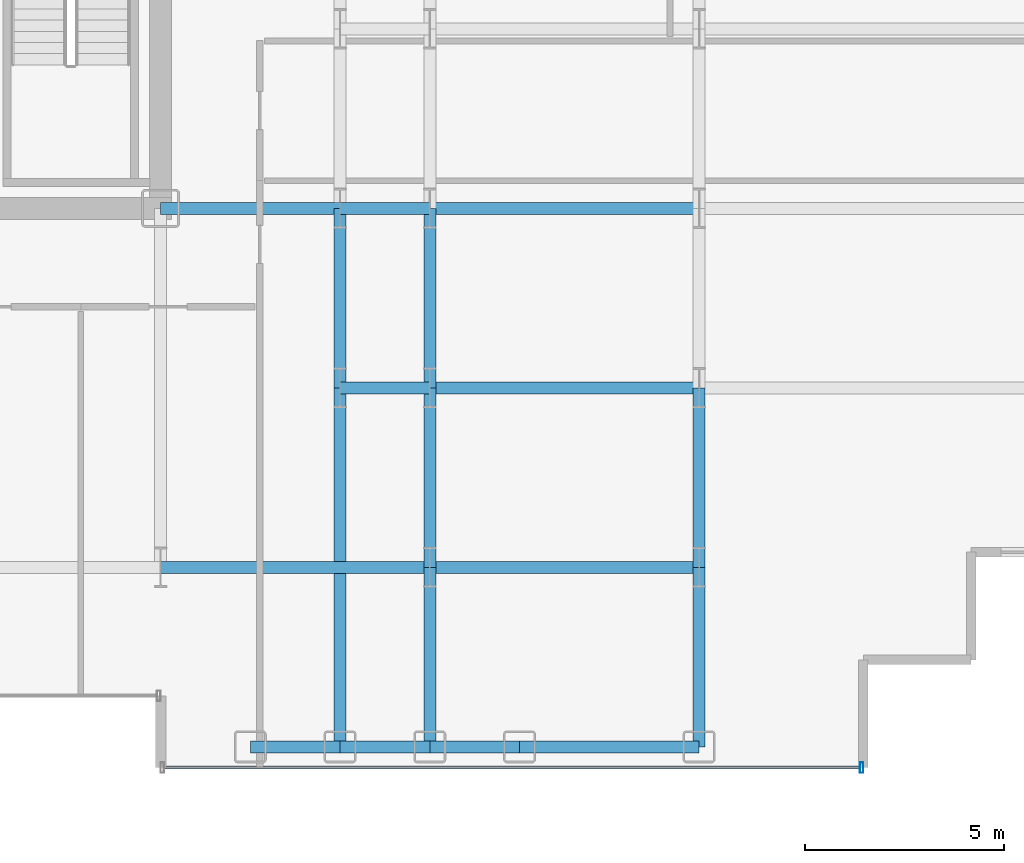
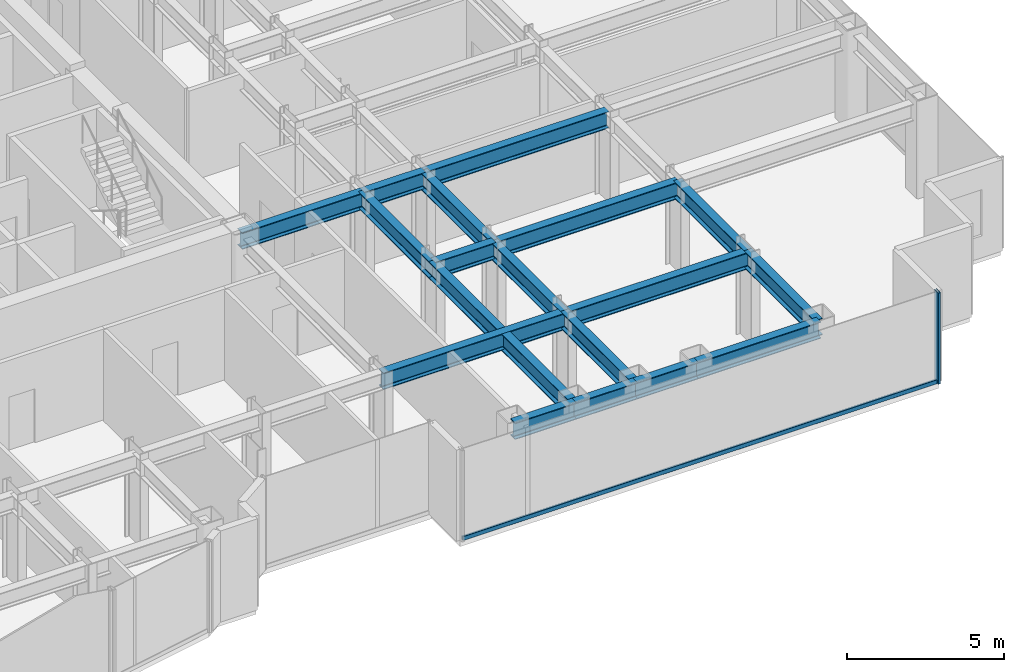
# One storey, part 7 of 26: 18 beams, 2 members, 1 element without a shape of its own.
"""IFC4 building model written with IfcOpenShell, lengths in metres."""

from ifc_helpers import new_model, si_unit, direction, frame, origin, origin_2d, place, context, subcontext, project, spatial, hollow_rectangle, i_section, extrude, source, transform, mapped, material, layer, layer_set, material_profile, profile_set, type_object, element, aggregate, save


model = new_model("IFC4")

# Units and contexts
model_context = context("Model", 3, precision=1e-05, world=origin(), true_north=direction((0.0, 1.0)))
body_context = subcontext(model_context, "Body", "Model", "MODEL_VIEW")
ifc_project = project(units=[si_unit("LENGTHUNIT", "METRE"), si_unit("AREAUNIT", "SQUARE_METRE"), si_unit("VOLUMEUNIT", "CUBIC_METRE"), si_unit("PLANEANGLEUNIT", "RADIAN"), si_unit("MASSUNIT", "GRAM", prefix="KILO")], contexts=[model_context])

# Site, building, storey
site_placement = place(None, origin())
site = spatial("IfcSite", under=ifc_project, at=site_placement, CompositionType="ELEMENT")
building_placement = place(site_placement, origin())
building = spatial("IfcBuilding", under=site, at=building_placement, Name="Nefas-Gora Pilgrimage Tower", CompositionType="ELEMENT")
storey_placement = place(building_placement, frame((0.0, 0.0, 128.800048828125)))
storey = spatial("IfcBuildingStorey", under=building, at=storey_placement, Name="L31", CompositionType="ELEMENT", Elevation=128.800048828125)

# Beams
ifc_material_1 = material(Name="Steel S355", Category="steel")
ifc_material_profile_1 = material_profile(ifc_material_1, i_section(OverallWidth=0.300048828125, OverallDepth=0.64990234375, WebThickness=0.01611328125, FlangeThickness=0.031005859375, FilletRadius=0.027099609375, at=origin_2d()), Name="HEB 650")
ifc_profile_set_1 = profile_set([ifc_material_profile_1], Name="Steel S355")
beam_type_1 = type_object("IfcBeamType", Name="BM-SPN-HEB500", PredefinedType="SPANDREL", material=ifc_profile_set_1)
shared_shape_1 = source(origin(), body_context, "Body", "SweptSolid", [
    extrude(i_section(OverallWidth=0.300048828125, OverallDepth=0.64990234375, WebThickness=0.01611328125, FlangeThickness=0.031005859375, FilletRadius=0.027099609375, at=origin_2d()), origin(), (0.0, 0.0, 1.0), 4.5),
])
beam_1_placement = place(storey_placement, frame((20.25, -22.5, 3.224853515625), z_axis=(1.0, 0.0, 0.0), x_axis=(0.0, 1.0, 0.0)))
element("IfcBeam", 1, at=beam_1_placement, inside=storey, type_object=beam_type_1, Name="L31 SP-02 beam", PredefinedType="SPANDREL", context=body_context, shape_type="MappedRepresentation", body=[
    mapped(shared_shape_1, transform((0.0, 0.0, 0.0), x_axis=(1.0, 0.0, 0.0), y_axis=(0.0, 1.0, 0.0), z_axis=(0.0, 0.0, 1.0), scale=1.0)),
])
ifc_material_profile_2 = material_profile(ifc_material_1, i_section(OverallWidth=0.300048828125, OverallDepth=0.64990234375, WebThickness=0.01611328125, FlangeThickness=0.031005859375, FilletRadius=0.027099609375, at=origin_2d()), Name="HEB 650")
ifc_profile_set_2 = profile_set([ifc_material_profile_2], Name="Steel S355")
beam_type_2 = type_object("IfcBeamType", Name="BM-GIR-HEB650", PredefinedType="BEAM", material=ifc_profile_set_2)
shared_shape_2 = source(origin(), body_context, "Body", "SweptSolid", [
    extrude(i_section(OverallWidth=0.300048828125, OverallDepth=0.64990234375, WebThickness=0.01611328125, FlangeThickness=0.031005859375, FilletRadius=0.027099609375, at=origin_2d()), origin(), (0.0, 0.0, 1.0), 9.0),
])
beam_2_placement = place(storey_placement, frame((15.75, -22.5, 3.224853515625), z_axis=(0.0, 1.0, 0.0), x_axis=(-1.0, 0.0, 0.0)))
element("IfcBeam", 2, at=beam_2_placement, inside=storey, type_object=beam_type_2, Name="L31 G-03 beam", PredefinedType="BEAM", context=body_context, shape_type="MappedRepresentation", body=[
    mapped(shared_shape_2, transform((0.0, 0.0, 0.0), x_axis=(1.0, 0.0, 0.0), y_axis=(0.0, 1.0, 0.0), z_axis=(0.0, 0.0, 1.0), scale=1.0)),
])
shared_shape_3 = source(origin(), body_context, "Body", "SweptSolid", [
    extrude(i_section(OverallWidth=0.300048828125, OverallDepth=0.64990234375, WebThickness=0.01611328125, FlangeThickness=0.031005859375, FilletRadius=0.027099609375, at=origin_2d()), origin(), (0.0, 0.0, 1.0), 4.5),
])
for number, where, z_axis, x_axis, name in (
    (3, (11.25, -9.0, 3.224853515625), (1.0, 0.0, 0.0), (0.0, 1.0, 0.0), "L31 G-03 beam"),
    (4, (15.75, -13.5, 3.224853515625), (0.0, 1.0, 0.0), (-1.0, 0.0, 0.0), "L31 G-03 beam"),
    (5, (18.0, -22.5, 3.224853515625), (0.0, 1.0, 0.0), (-1.0, 0.0, 0.0), "L31 G-03 beam"),
    (6, (18.0, -18.0, 3.224853515625), (0.0, 1.0, 0.0), (-1.0, 0.0, 0.0), "L31 G-03 beam"),
    (7, (18.0, -13.5, 3.224853515625), (0.0, 1.0, 0.0), (-1.0, 0.0, 0.0), "L31 G-03 beam"),
    (8, (24.75, -22.5, 3.224853515625), (0.0, 1.0, 0.0), (-1.0, 0.0, 0.0), "L31 G-03 beam"),
    (9, (24.75, -18.0, 3.224853515625), (0.0, 1.0, 0.0), (-1.0, 0.0, 0.0), "L31 G-03 beam"),
):
    element("IfcBeam", number, at=place(storey_placement, frame(where, z_axis=z_axis, x_axis=x_axis)), inside=storey, type_object=beam_type_2, Name=name, PredefinedType="BEAM", context=body_context, shape_type="MappedRepresentation", body=[
        mapped(shared_shape_3, transform((0.0, 0.0, 0.0), x_axis=(1.0, 0.0, 0.0), y_axis=(0.0, 1.0, 0.0), z_axis=(0.0, 0.0, 1.0), scale=1.0)),
    ])
shared_shape_4 = source(origin(), body_context, "Body", "SweptSolid", [
    extrude(i_section(OverallWidth=0.300048828125, OverallDepth=0.64990234375, WebThickness=0.01611328125, FlangeThickness=0.031005859375, FilletRadius=0.027099609375, at=origin_2d()), origin(), (0.0, 0.0, 1.0), 6.75),
])
for number, where, z_axis, x_axis, name in (
    (10, (11.25, -18.0, 3.224853515625), (1.0, 0.0, 0.0), (0.0, 1.0, 0.0), "L31 G-03 beam"),
    (11, (18.0, -18.0, 3.224853515625), (1.0, 0.0, 0.0), (0.0, 1.0, 0.0), "L31 G-03 beam"),
    (12, (18.0, -13.5, 3.224853515625), (1.0, 0.0, 0.0), (0.0, 1.0, 0.0), "L31 G-03 beam"),
    (13, (18.0, -9.0, 3.224853515625), (1.0, 0.0, 0.0), (0.0, 1.0, 0.0), "L31 G-03 beam"),
):
    element("IfcBeam", number, at=place(storey_placement, frame(where, z_axis=z_axis, x_axis=x_axis)), inside=storey, type_object=beam_type_2, Name=name, PredefinedType="BEAM", context=body_context, shape_type="MappedRepresentation", body=[
        mapped(shared_shape_4, transform((0.0, 0.0, 0.0), x_axis=(1.0, 0.0, 0.0), y_axis=(0.0, 1.0, 0.0), z_axis=(0.0, 0.0, 1.0), scale=1.0)),
    ])
shared_shape_5 = source(origin(), body_context, "Body", "SweptSolid", [
    extrude(i_section(OverallWidth=0.300048828125, OverallDepth=0.64990234375, WebThickness=0.01611328125, FlangeThickness=0.031005859375, FilletRadius=0.027099609375, at=origin_2d()), origin(), (0.0, 0.0, 1.0), 2.25),
])
for number, where, z_axis, x_axis, name in (
    (14, (13.5, -22.5, 3.224853515625), (1.0, 0.0, 0.0), (0.0, 1.0, 0.0), "L31 SP-02 beam"),
    (15, (15.75, -22.5, 3.224853515625), (1.0, 0.0, 0.0), (0.0, 1.0, 0.0), "L31 SP-02 beam"),
    (16, (18.0, -22.5, 3.224853515625), (1.0, 0.0, 0.0), (0.0, 1.0, 0.0), "L31 SP-02 beam"),
):
    element("IfcBeam", number, at=place(storey_placement, frame(where, z_axis=z_axis, x_axis=x_axis)), inside=storey, type_object=beam_type_1, Name=name, PredefinedType="SPANDREL", context=body_context, shape_type="MappedRepresentation", body=[
        mapped(shared_shape_5, transform((0.0, 0.0, 0.0), x_axis=(1.0, 0.0, 0.0), y_axis=(0.0, 1.0, 0.0), z_axis=(0.0, 0.0, 1.0), scale=1.0)),
    ])
shared_shape_6 = source(origin(), body_context, "Body", "SweptSolid", [
    extrude(i_section(OverallWidth=0.300048828125, OverallDepth=0.64990234375, WebThickness=0.01611328125, FlangeThickness=0.031005859375, FilletRadius=0.027099609375, at=origin_2d()), origin(), (0.0, 0.0, 1.0), 2.25),
])
for number, where, z_axis, x_axis, name in (
    (17, (15.75, -13.5, 3.224853515625), (1.0, 0.0, 0.0), (0.0, 1.0, 0.0), "L31 G-03 beam"),
    (18, (15.75, -9.0, 3.224853515625), (1.0, 0.0, 0.0), (0.0, 1.0, 0.0), "L31 G-03 beam"),
):
    element("IfcBeam", number, at=place(storey_placement, frame(where, z_axis=z_axis, x_axis=x_axis)), inside=storey, type_object=beam_type_2, Name=name, PredefinedType="BEAM", context=body_context, shape_type="MappedRepresentation", body=[
        mapped(shared_shape_6, transform((0.0, 0.0, 0.0), x_axis=(1.0, 0.0, 0.0), y_axis=(0.0, 1.0, 0.0), z_axis=(0.0, 0.0, 1.0), scale=1.0)),
    ])

# Curtain wall, members
ifc_material_2 = material(Name="Dark ceramic-fritted solar-control aluminium-glass curtain wall", Category="aluminium")
ifc_layer = layer(ifc_material_2, 0.219970703125)
ifc_layer_set = layer_set([ifc_layer], Name="Dark ceramic-fritted solar-control aluminium-glass curtain wall")
curtain_wall_type = type_object("IfcCurtainWallType", Name="CW-SYS-2", PredefinedType="NOTDEFINED", material=ifc_layer_set)
curtain_wall_placement = place(storey_placement, origin())
curtain_wall = element("IfcCurtainWall", 19, at=curtain_wall_placement, inside=storey, type_object=curtain_wall_type, Name="L31 Unitised Curtain Wall CW2", PredefinedType="NOTDEFINED")
ifc_material_3 = material(Name="Anodised architectural aluminium", Category="aluminium")
ifc_material_profile_3 = material_profile(ifc_material_3, hollow_rectangle(XDim=0.090087890625, YDim=0.260009765625, WallThickness=0.006103515625, InnerFilletRadius=0.006103515625, OuterFilletRadius=0.011962890625, at=origin_2d()), Name="ALU MULLION 90x260")
ifc_profile_set_3 = profile_set([ifc_material_profile_3], Name="Anodised architectural aluminium")
member_type_1 = type_object("IfcMemberType", Name="CWM-MUL-2", PredefinedType="MULLION", material=ifc_profile_set_3)
shared_shape_7 = source(origin(), body_context, "Body", "SweptSolid", [
    extrude(hollow_rectangle(XDim=0.090087890625, YDim=0.260009765625, WallThickness=0.006103515625, InnerFilletRadius=0.006103515625, OuterFilletRadius=0.011962890625, at=origin_2d()), origin(), (0.0, 0.0, 1.0), 3.550048828125),
])
member_1_placement = place(storey_placement, frame((28.824951171875, -23.02001953125, 0.0), z_axis=(0.0, 0.0, 1.0), x_axis=(1.0, 0.0, 0.0)))
member_1 = element("IfcMember", 20, at=member_1_placement, type_object=member_type_1, Name="CW2 Mullion 2", PredefinedType="MULLION", context=body_context, shape_type="MappedRepresentation", body=[
    mapped(shared_shape_7, transform((0.0, 0.0, 0.0), x_axis=(1.0, 0.0, 0.0), y_axis=(0.0, 1.0, 0.0), z_axis=(0.0, 0.0, 1.0), scale=1.0)),
])
ifc_material_profile_4 = material_profile(ifc_material_3, hollow_rectangle(XDim=0.080078125, YDim=0.159912109375, WallThickness=0.00439453125, InnerFilletRadius=0.00439453125, OuterFilletRadius=0.009033203125, at=origin_2d()), Name="ALU TRANSOM 80x160")
ifc_profile_set_4 = profile_set([ifc_material_profile_4], Name="Anodised architectural aluminium")
member_type_2 = type_object("IfcMemberType", Name="CWM-TRN-2", PredefinedType="USERDEFINED", material=ifc_profile_set_4)
shared_shape_8 = source(origin(), body_context, "Body", "SweptSolid", [
    extrude(hollow_rectangle(XDim=0.080078125, YDim=0.159912109375, WallThickness=0.00439453125, InnerFilletRadius=0.00439453125, OuterFilletRadius=0.009033203125, at=origin_2d()), origin(), (0.0, 0.0, 1.0), 17.43994140625),
])
member_2_placement = place(storey_placement, frame((11.340087890625, -23.02001953125, 0.050048828125), z_axis=(1.0, 0.0, 0.0), x_axis=(0.0, 1.0, 0.0)))
member_2 = element("IfcMember", 21, at=member_2_placement, type_object=member_type_2, Name="CW2 Spandrel Transom", ObjectType="TRANSOM", PredefinedType="USERDEFINED", context=body_context, shape_type="MappedRepresentation", body=[
    mapped(shared_shape_8, transform((0.0, 0.0, 0.0), x_axis=(1.0, 0.0, 0.0), y_axis=(0.0, 1.0, 0.0), z_axis=(0.0, 0.0, 1.0), scale=1.0)),
])
aggregate(curtain_wall, [member_1, member_2])

save(model, "model.ifc")
